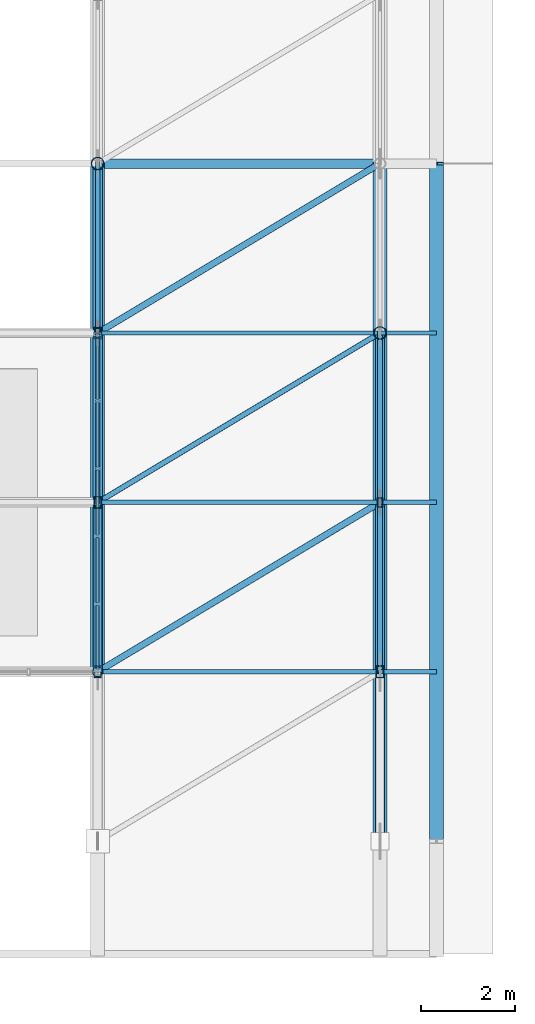
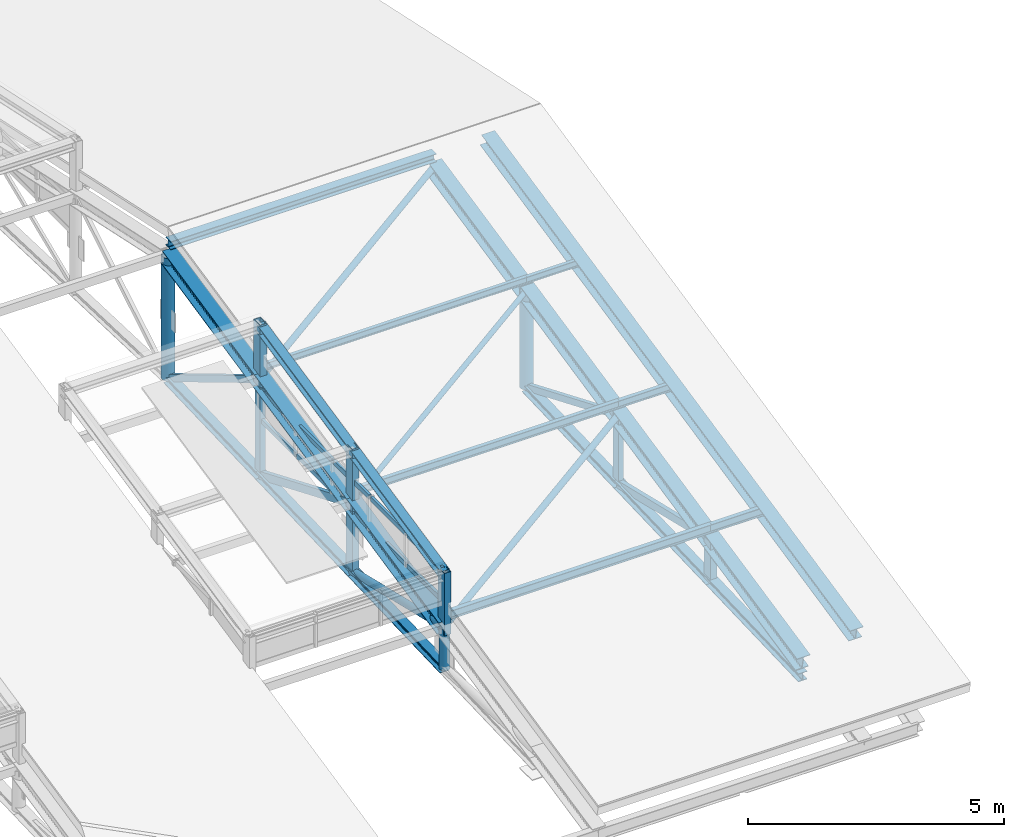
# One storey, part 43 of 124: 50 members, 1 element without a shape of its own.
"""IFC4 building model written with IfcOpenShell, lengths in metres."""

from ifc_helpers import new_model, si_unit, direction, frame, origin, origin_2d, place, context, subcontext, project, spatial, hollow_rectangle, hollow_circle, i_section, extrude, material, layer, layer_set, material_profile, profile_set, type_object, element, aggregate, save


model = new_model("IFC4")

# Units and contexts
model_context = context("Model", 3, precision=1e-05, world=origin(), true_north=direction((0.0, 1.0)))
body_context = subcontext(model_context, "Body", "Model", "MODEL_VIEW")
ifc_project = project(units=[si_unit("LENGTHUNIT", "METRE"), si_unit("AREAUNIT", "SQUARE_METRE"), si_unit("VOLUMEUNIT", "CUBIC_METRE"), si_unit("PLANEANGLEUNIT", "RADIAN"), si_unit("MASSUNIT", "GRAM", prefix="KILO"), si_unit("THERMODYNAMICTEMPERATUREUNIT", "KELVIN"), si_unit("POWERUNIT", "WATT")], contexts=[model_context])

# Site, building, storey
site_placement = place(None, origin())
site = spatial("IfcSite", under=ifc_project, at=site_placement, CompositionType="ELEMENT")
building_placement = place(site_placement, origin())
building = spatial("IfcBuilding", under=site, at=building_placement, Name="Tavuni Mirador Residences", CompositionType="ELEMENT")
storey_placement = place(building_placement, frame((0.0, 0.0, 7.64990234375)))
storey = spatial("IfcBuildingStorey", under=building, at=storey_placement, Name="L02", CompositionType="ELEMENT", Elevation=7.64990234375)

# Curtain wall, members
ifc_material_1 = material(Name="Anodised aluminium", Category="aluminium")
ifc_layer = layer(ifc_material_1, 0.199951171875, Name="Anodised aluminium", Category="aluminium")
ifc_layer_set = layer_set([ifc_layer], Name="Anodised aluminium")
curtain_wall_type = type_object("IfcCurtainWallType", Name="CWT-HAL-01", PredefinedType="NOTDEFINED", material=ifc_layer_set)
curtain_wall_placement = place(storey_placement, origin())
curtain_wall = element("IfcCurtainWall", 1, at=curtain_wall_placement, inside=storey, type_object=curtain_wall_type, Name="CW-HALL-MON-S3-E", PredefinedType="NOTDEFINED")
ifc_material_profile_1 = material_profile(ifc_material_1, hollow_rectangle(XDim=0.06005859375, YDim=0.110107421875, WallThickness=0.00390625, at=origin_2d()), Name="ALU 60x110x4.0", Category="aluminium")
ifc_profile_set_1 = profile_set([ifc_material_profile_1], Name="Anodised aluminium")
member_type_1 = type_object("IfcMemberType", Name="CWT-110", PredefinedType="USERDEFINED", material=ifc_profile_set_1)
member_1_placement = place(storey_placement, frame((68.39990234375, 75.659912109375, 1.205078125), z_axis=(0.0, 1.0, 0.0), x_axis=(-1.0, 0.0, 0.0)))
member_1 = element("IfcMember", 2, at=member_1_placement, type_object=member_type_1, Name="CW-06 transom 1.1", ObjectType="TRANSOM", PredefinedType="USERDEFINED", context=body_context, shape_type="SweptSolid", body=[
    extrude(hollow_rectangle(XDim=0.06005859375, YDim=0.110107421875, WallThickness=0.00390625, at=origin_2d()), origin(), (0.0, 0.0, 1.0), 1.35009765625),
])
member_2_placement = place(storey_placement, frame((68.39990234375, 75.659912109375, 1.93505859375), z_axis=(0.0, 1.0, 0.0), x_axis=(-1.0, 0.0, 0.0)))
member_2 = element("IfcMember", 3, at=member_2_placement, type_object=member_type_1, Name="CW-06 transom 1.2", ObjectType="TRANSOM", PredefinedType="USERDEFINED", context=body_context, shape_type="SweptSolid", body=[
    extrude(hollow_rectangle(XDim=0.06005859375, YDim=0.110107421875, WallThickness=0.00390625, at=origin_2d()), origin(), (0.0, 0.0, 1.0), 1.35009765625),
])
member_3_placement = place(storey_placement, frame((68.39990234375, 77.070068359375, 1.205078125), z_axis=(0.0, 1.0, 0.0), x_axis=(-1.0, 0.0, 0.0)))
member_3 = element("IfcMember", 4, at=member_3_placement, type_object=member_type_1, Name="CW-06 transom 2.1", ObjectType="TRANSOM", PredefinedType="USERDEFINED", context=body_context, shape_type="SweptSolid", body=[
    extrude(hollow_rectangle(XDim=0.06005859375, YDim=0.110107421875, WallThickness=0.00390625, at=origin_2d()), origin(), (0.0, 0.0, 1.0), 1.3798828125),
])
member_4_placement = place(storey_placement, frame((68.39990234375, 77.070068359375, 1.93505859375), z_axis=(0.0, 1.0, 0.0), x_axis=(-1.0, 0.0, 0.0)))
member_4 = element("IfcMember", 5, at=member_4_placement, type_object=member_type_1, Name="CW-06 transom 2.2", ObjectType="TRANSOM", PredefinedType="USERDEFINED", context=body_context, shape_type="SweptSolid", body=[
    extrude(hollow_rectangle(XDim=0.06005859375, YDim=0.110107421875, WallThickness=0.00390625, at=origin_2d()), origin(), (0.0, 0.0, 1.0), 1.3798828125),
])
member_5_placement = place(storey_placement, frame((68.39990234375, 78.510009765625, 1.205078125), z_axis=(0.0, 1.0, 0.0), x_axis=(-1.0, 0.0, 0.0)))
member_5 = element("IfcMember", 6, at=member_5_placement, type_object=member_type_1, Name="CW-06 transom 3.1", ObjectType="TRANSOM", PredefinedType="USERDEFINED", context=body_context, shape_type="SweptSolid", body=[
    extrude(hollow_rectangle(XDim=0.06005859375, YDim=0.110107421875, WallThickness=0.00390625, at=origin_2d()), origin(), (0.0, 0.0, 1.0), 1.3798828125),
])
member_6_placement = place(storey_placement, frame((68.39990234375, 78.510009765625, 1.93505859375), z_axis=(0.0, 1.0, 0.0), x_axis=(-1.0, 0.0, 0.0)))
member_6 = element("IfcMember", 7, at=member_6_placement, type_object=member_type_1, Name="CW-06 transom 3.2", ObjectType="TRANSOM", PredefinedType="USERDEFINED", context=body_context, shape_type="SweptSolid", body=[
    extrude(hollow_rectangle(XDim=0.06005859375, YDim=0.110107421875, WallThickness=0.00390625, at=origin_2d()), origin(), (0.0, 0.0, 1.0), 1.3798828125),
])
member_7_placement = place(storey_placement, frame((68.39990234375, 79.949951171875, 1.205078125), z_axis=(0.0, 1.0, 0.0), x_axis=(-1.0, 0.0, 0.0)))
member_7 = element("IfcMember", 8, at=member_7_placement, type_object=member_type_1, Name="CW-06 transom 4.1", ObjectType="TRANSOM", PredefinedType="USERDEFINED", context=body_context, shape_type="SweptSolid", body=[
    extrude(hollow_rectangle(XDim=0.06005859375, YDim=0.110107421875, WallThickness=0.00390625, at=origin_2d()), origin(), (0.0, 0.0, 1.0), 1.380126953125),
])
member_8_placement = place(storey_placement, frame((68.39990234375, 79.949951171875, 1.93505859375), z_axis=(0.0, 1.0, 0.0), x_axis=(-1.0, 0.0, 0.0)))
member_8 = element("IfcMember", 9, at=member_8_placement, type_object=member_type_1, Name="CW-06 transom 4.2", ObjectType="TRANSOM", PredefinedType="USERDEFINED", context=body_context, shape_type="SweptSolid", body=[
    extrude(hollow_rectangle(XDim=0.06005859375, YDim=0.110107421875, WallThickness=0.00390625, at=origin_2d()), origin(), (0.0, 0.0, 1.0), 1.380126953125),
])
member_9_placement = place(storey_placement, frame((68.39990234375, 81.389892578125, 1.205078125), z_axis=(0.0, 1.0, 0.0), x_axis=(-1.0, 0.0, 0.0)))
member_9 = element("IfcMember", 10, at=member_9_placement, type_object=member_type_1, Name="CW-06 transom 5.1", ObjectType="TRANSOM", PredefinedType="USERDEFINED", context=body_context, shape_type="SweptSolid", body=[
    extrude(hollow_rectangle(XDim=0.06005859375, YDim=0.110107421875, WallThickness=0.00390625, at=origin_2d()), origin(), (0.0, 0.0, 1.0), 1.35009765625),
])
member_10_placement = place(storey_placement, frame((68.39990234375, 81.389892578125, 1.93505859375), z_axis=(0.0, 1.0, 0.0), x_axis=(-1.0, 0.0, 0.0)))
member_10 = element("IfcMember", 11, at=member_10_placement, type_object=member_type_1, Name="CW-06 transom 5.2", ObjectType="TRANSOM", PredefinedType="USERDEFINED", context=body_context, shape_type="SweptSolid", body=[
    extrude(hollow_rectangle(XDim=0.06005859375, YDim=0.110107421875, WallThickness=0.00390625, at=origin_2d()), origin(), (0.0, 0.0, 1.0), 1.35009765625),
])
aggregate(curtain_wall, [member_1, member_2, member_3, member_4, member_5, member_6, member_7, member_8, member_9, member_10])

# Members
ifc_material_2 = material(Name="Structural steel S355", Category="steel")
ifc_material_profile_2 = material_profile(ifc_material_2, hollow_circle(Radius=0.05712890625, WallThickness=0.00634765625, at=origin_2d()), Name="CHS 114.3x6.3", Category="steel")
ifc_profile_set_2 = profile_set([ifc_material_profile_2], Name="Structural steel S355")
member_type_2 = type_object("IfcMemberType", Name="MT-BR-CHS114", PredefinedType="BRACE", material=ifc_profile_set_2)
member_11_placement = place(storey_placement, frame((68.39990234375, 79.199951171875, 1.380126953125), z_axis=(0.852276366217, 0.511379691416, 0.110071825617), x_axis=(-0.514506017516, 0.857486768376, 0.0)))
element("IfcMember", 12, at=member_11_placement, inside=storey, type_object=member_type_2, Name="HALL-RB-4-03", PredefinedType="BRACE", context=body_context, shape_type="SweptSolid", body=[
    extrude(hollow_circle(Radius=0.05712890625, WallThickness=0.00634765625, at=origin_2d()), origin(), (0.0, 0.0, 1.0), 7.0400390625),
])
ifc_material_profile_3 = material_profile(ifc_material_2, hollow_circle(Radius=0.06982421875, WallThickness=0.008056640625, at=origin_2d()), Name="CHS 139.7x8.0", Category="steel")
ifc_profile_set_3 = profile_set([ifc_material_profile_3], Name="Structural steel S355")
member_type_3 = type_object("IfcMemberType", Name="MT-BR-CHS139", PredefinedType="BRACE", material=ifc_profile_set_3)
for number, where, z_axis, x_axis, name in (
    (13, (68.39990234375, 75.60009765625, 0.60498046875), (0.852288226605, 0.511352128145, 0.110108037088), (-0.51448036188, 0.857502161653, 0.0), "HALL-RB-4-02"),
    (14, (68.39990234375, 82.800048828125, 2.155029296875), (0.852288226605, 0.511352128145, 0.110108037088), (-0.51448036188, 0.857502161653, 0.0), "HALL-RB-4-04"),
):
    element("IfcMember", number, at=place(storey_placement, frame(where, z_axis=z_axis, x_axis=x_axis)), inside=storey, type_object=member_type_3, Name=name, PredefinedType="BRACE", context=body_context, shape_type="SweptSolid", body=[
        extrude(hollow_circle(Radius=0.06982421875, WallThickness=0.008056640625, at=origin_2d()), origin(), (0.0, 0.0, 1.0), 7.039794921875),
    ])
ifc_material_profile_4 = material_profile(ifc_material_2, hollow_circle(Radius=0.084228515625, WallThickness=0.008056640625, at=origin_2d()), Name="CHS 168.3x8.0", Category="steel")
ifc_profile_set_4 = profile_set([ifc_material_profile_4], Name="Structural steel S355")
member_type_4 = type_object("IfcMemberType", Name="MT-BR-CHS168", PredefinedType="BRACE", material=ifc_profile_set_4)
member_12_placement = place(storey_placement, frame((68.39990234375, 75.60009765625, 0.60498046875), z_axis=(0.0, 0.972935623557, -0.231076334601), x_axis=(-1.0, 0.0, 0.0)))
element("IfcMember", 15, at=member_12_placement, inside=storey, type_object=member_type_4, Name="Roof truss TR-7 web diagonal 2", PredefinedType="BRACE", context=body_context, shape_type="SweptSolid", body=[
    extrude(hollow_circle(Radius=0.084228515625, WallThickness=0.008056640625, at=origin_2d()), origin(), (0.0, 0.0, 1.0), 3.699951171875),
])
ifc_material_profile_5 = material_profile(ifc_material_2, hollow_rectangle(XDim=0.10009765625, YDim=0.14990234375, WallThickness=0.008056640625, at=origin_2d()), Name="RHS 150x100x8.0", Category="steel")
ifc_profile_set_5 = profile_set([ifc_material_profile_5], Name="Structural steel S355")
member_type_5 = type_object("IfcMemberType", Name="MT-BR-RHS150", PredefinedType="BRACE", material=ifc_profile_set_5)
member_13_placement = place(storey_placement, frame((68.39990234375, 82.800048828125, 2.155029296875), z_axis=(0.0, 0.858005936545, -0.513639769541), x_axis=(-1.0, 0.0, 0.0)))
element("IfcMember", 16, at=member_13_placement, inside=storey, type_object=member_type_5, Name="Roof truss TR-7 web diagonal 4", PredefinedType="BRACE", context=body_context, shape_type="SweptSolid", body=[
    extrude(hollow_rectangle(XDim=0.10009765625, YDim=0.14990234375, WallThickness=0.008056640625, at=origin_2d()), origin(), (0.0, 0.0, 1.0), 4.195556640625),
])
member_14_placement = place(storey_placement, frame((74.39990234375, 79.199951171875, 1.380126953125), z_axis=(0.0, 0.922613480979, -0.385725763613), x_axis=(-1.0, 0.0, 0.0)))
element("IfcMember", 17, at=member_14_placement, inside=storey, type_object=member_type_5, Name="Roof truss TR-8 web diagonal 3", PredefinedType="BRACE", context=body_context, shape_type="SweptSolid", body=[
    extrude(hollow_rectangle(XDim=0.10009765625, YDim=0.14990234375, WallThickness=0.008056640625, at=origin_2d()), origin(), (0.0, 0.0, 1.0), 3.902099609375),
])
ifc_material_profile_6 = material_profile(ifc_material_2, hollow_rectangle(XDim=0.10009765625, YDim=0.179931640625, WallThickness=0.008056640625, at=origin_2d()), Name="RHS 180x100x8.0", Category="steel")
ifc_profile_set_6 = profile_set([ifc_material_profile_6], Name="Structural steel S355")
member_type_6 = type_object("IfcMemberType", Name="MT-BR-RHS180", PredefinedType="BRACE", material=ifc_profile_set_6)
member_15_placement = place(storey_placement, frame((68.39990234375, 79.199951171875, 1.380126953125), z_axis=(0.0, 0.922613480979, -0.385725763613), x_axis=(-1.0, 0.0, 0.0)))
element("IfcMember", 18, at=member_15_placement, inside=storey, type_object=member_type_6, Name="Roof truss TR-7 web diagonal 3", PredefinedType="BRACE", context=body_context, shape_type="SweptSolid", body=[
    extrude(hollow_rectangle(XDim=0.10009765625, YDim=0.179931640625, WallThickness=0.008056640625, at=origin_2d()), origin(), (0.0, 0.0, 1.0), 3.902099609375),
])
member_16_placement = place(storey_placement, frame((74.39990234375, 75.60009765625, 0.60498046875), z_axis=(0.0, 0.972935623557, -0.231076334601), x_axis=(-1.0, 0.0, 0.0)))
element("IfcMember", 19, at=member_16_placement, inside=storey, type_object=member_type_6, Name="Roof truss TR-8 web diagonal 2", PredefinedType="BRACE", context=body_context, shape_type="SweptSolid", body=[
    extrude(hollow_rectangle(XDim=0.10009765625, YDim=0.179931640625, WallThickness=0.008056640625, at=origin_2d()), origin(), (0.0, 0.0, 1.0), 3.699951171875),
])
ifc_material_profile_7 = material_profile(ifc_material_2, i_section(OverallWidth=0.300048828125, OverallDepth=0.2900390625, WebThickness=0.008544921875, FlangeThickness=0.013916015625, FilletRadius=0.027099609375, at=origin_2d()), Name="HEA 300", Category="steel")
ifc_profile_set_7 = profile_set([ifc_material_profile_7], Name="Structural steel S355")
member_type_7 = type_object("IfcMemberType", Name="MT-CH-HEA300", PredefinedType="CHORD", material=ifc_profile_set_7)
member_17_placement = place(storey_placement, frame((75.60009765625, 72.0, 0.09521484375), z_axis=(0.0, 0.977605026938, 0.210448120224), x_axis=(-1.0, 0.0, 0.0)))
element("IfcMember", 20, at=member_17_placement, inside=storey, type_object=member_type_7, Name="HALL-GAB-E-S", PredefinedType="CHORD", context=body_context, shape_type="SweptSolid", body=[
    extrude(i_section(OverallWidth=0.300048828125, OverallDepth=0.2900390625, WebThickness=0.008544921875, FlangeThickness=0.013916015625, FilletRadius=0.027099609375, at=origin_2d()), origin(), (0.0, 0.0, 1.0), 14.729736328125),
])
ifc_material_profile_8 = material_profile(ifc_material_2, i_section(OverallWidth=0.300048828125, OverallDepth=0.330078125, WebThickness=0.009521484375, FlangeThickness=0.0166015625, FilletRadius=0.027099609375, at=origin_2d()), Name="HEA 340", Category="steel")
ifc_profile_set_8 = profile_set([ifc_material_profile_8], Name="Structural steel S355")
member_type_8 = type_object("IfcMemberType", Name="MT-CH-HEA340", PredefinedType="CHORD", material=ifc_profile_set_8)
member_18_placement = place(storey_placement, frame((68.39990234375, 75.60009765625, 0.60498046875), z_axis=(0.0, 0.977593327089, 0.210502462768), x_axis=(-1.0, 0.0, 0.0)))
element("IfcMember", 21, at=member_18_placement, inside=storey, type_object=member_type_8, Name="Roof truss TR-7 top chord 2", PredefinedType="CHORD", context=body_context, shape_type="SweptSolid", body=[
    extrude(i_section(OverallWidth=0.300048828125, OverallDepth=0.330078125, WebThickness=0.009521484375, FlangeThickness=0.0166015625, FilletRadius=0.027099609375, at=origin_2d()), origin(), (0.0, 0.0, 1.0), 3.682373046875),
])
member_19_placement = place(storey_placement, frame((68.39990234375, 79.199951171875, 1.380126953125), z_axis=(0.0, 0.977609904647, 0.210425460284), x_axis=(-1.0, 0.0, 0.0)))
element("IfcMember", 22, at=member_19_placement, inside=storey, type_object=member_type_8, Name="Roof truss TR-7 top chord 3", PredefinedType="CHORD", context=body_context, shape_type="SweptSolid", body=[
    extrude(i_section(OverallWidth=0.300048828125, OverallDepth=0.330078125, WebThickness=0.009521484375, FlangeThickness=0.0166015625, FilletRadius=0.027099609375, at=origin_2d()), origin(), (0.0, 0.0, 1.0), 3.6826171875),
])
member_20_placement = place(storey_placement, frame((68.39990234375, 82.800048828125, 2.155029296875), z_axis=(0.0, 0.977593327089, 0.210502462768), x_axis=(-1.0, 0.0, 0.0)))
element("IfcMember", 23, at=member_20_placement, inside=storey, type_object=member_type_8, Name="Roof truss TR-7 top chord 4", PredefinedType="CHORD", context=body_context, shape_type="SweptSolid", body=[
    extrude(i_section(OverallWidth=0.300048828125, OverallDepth=0.330078125, WebThickness=0.009521484375, FlangeThickness=0.0166015625, FilletRadius=0.027099609375, at=origin_2d()), origin(), (0.0, 0.0, 1.0), 3.682373046875),
])
member_21_placement = place(storey_placement, frame((74.39990234375, 72.0, -0.169921875), z_axis=(0.0, 0.977609904647, 0.210425460284), x_axis=(-1.0, 0.0, 0.0)))
element("IfcMember", 24, at=member_21_placement, inside=storey, type_object=member_type_8, Name="Roof truss TR-8 top chord 1", PredefinedType="CHORD", context=body_context, shape_type="SweptSolid", body=[
    extrude(i_section(OverallWidth=0.300048828125, OverallDepth=0.330078125, WebThickness=0.009521484375, FlangeThickness=0.0166015625, FilletRadius=0.027099609375, at=origin_2d()), origin(), (0.0, 0.0, 1.0), 3.6826171875),
])
member_22_placement = place(storey_placement, frame((74.39990234375, 75.60009765625, 0.60498046875), z_axis=(0.0, 0.977593327089, 0.210502462768), x_axis=(-1.0, 0.0, 0.0)))
element("IfcMember", 25, at=member_22_placement, inside=storey, type_object=member_type_8, Name="Roof truss TR-8 top chord 2", PredefinedType="CHORD", context=body_context, shape_type="SweptSolid", body=[
    extrude(i_section(OverallWidth=0.300048828125, OverallDepth=0.330078125, WebThickness=0.009521484375, FlangeThickness=0.0166015625, FilletRadius=0.027099609375, at=origin_2d()), origin(), (0.0, 0.0, 1.0), 3.682373046875),
])
member_23_placement = place(storey_placement, frame((74.39990234375, 79.199951171875, 1.380126953125), z_axis=(0.0, 0.977609904647, 0.210425460284), x_axis=(-1.0, 0.0, 0.0)))
element("IfcMember", 26, at=member_23_placement, inside=storey, type_object=member_type_8, Name="Roof truss TR-8 top chord 3", PredefinedType="CHORD", context=body_context, shape_type="SweptSolid", body=[
    extrude(i_section(OverallWidth=0.300048828125, OverallDepth=0.330078125, WebThickness=0.009521484375, FlangeThickness=0.0166015625, FilletRadius=0.027099609375, at=origin_2d()), origin(), (0.0, 0.0, 1.0), 3.6826171875),
])
member_24_placement = place(storey_placement, frame((74.39990234375, 82.800048828125, 2.155029296875), z_axis=(0.0, 0.977593327089, 0.210502462768), x_axis=(-1.0, 0.0, 0.0)))
element("IfcMember", 27, at=member_24_placement, inside=storey, type_object=member_type_8, Name="Roof truss TR-8 top chord 4", PredefinedType="CHORD", context=body_context, shape_type="SweptSolid", body=[
    extrude(i_section(OverallWidth=0.300048828125, OverallDepth=0.330078125, WebThickness=0.009521484375, FlangeThickness=0.0166015625, FilletRadius=0.027099609375, at=origin_2d()), origin(), (0.0, 0.0, 1.0), 3.682373046875),
])
ifc_material_profile_9 = material_profile(ifc_material_2, i_section(OverallWidth=0.199951171875, OverallDepth=0.199951171875, WebThickness=0.009033203125, FlangeThickness=0.014892578125, FilletRadius=0.01806640625, at=origin_2d()), Name="HEB 200", Category="steel")
ifc_profile_set_9 = profile_set([ifc_material_profile_9], Name="Structural steel S355")
member_type_9 = type_object("IfcMemberType", Name="MT-CH-HEB200", PredefinedType="CHORD", material=ifc_profile_set_9)
member_25_placement = place(storey_placement, frame((68.39990234375, 75.60009765625, -0.375), z_axis=(0.0, 0.999397679205, 0.034702720363), x_axis=(-1.0, 0.0, 0.0)))
element("IfcMember", 28, at=member_25_placement, inside=storey, type_object=member_type_9, Name="Roof truss TR-7 bottom chord 2", PredefinedType="CHORD", context=body_context, shape_type="SweptSolid", body=[
    extrude(i_section(OverallWidth=0.199951171875, OverallDepth=0.199951171875, WebThickness=0.009033203125, FlangeThickness=0.014892578125, FilletRadius=0.01806640625, at=origin_2d()), origin(), (0.0, 0.0, 1.0), 3.60205078125),
])
member_26_placement = place(storey_placement, frame((68.39990234375, 79.199951171875, -0.25), z_axis=(0.0, 0.999397760821, 0.034700369832), x_axis=(-1.0, 0.0, 0.0)))
element("IfcMember", 29, at=member_26_placement, inside=storey, type_object=member_type_9, Name="Roof truss TR-7 bottom chord 3", PredefinedType="CHORD", context=body_context, shape_type="SweptSolid", body=[
    extrude(i_section(OverallWidth=0.199951171875, OverallDepth=0.199951171875, WebThickness=0.009033203125, FlangeThickness=0.014892578125, FilletRadius=0.01806640625, at=origin_2d()), origin(), (0.0, 0.0, 1.0), 3.602294921875),
])
member_27_placement = place(storey_placement, frame((68.39990234375, 82.800048828125, -0.125), z_axis=(0.0, 0.999397679205, 0.034702720363), x_axis=(-1.0, 0.0, 0.0)))
element("IfcMember", 30, at=member_27_placement, inside=storey, type_object=member_type_9, Name="Roof truss TR-7 bottom chord 4", PredefinedType="CHORD", context=body_context, shape_type="SweptSolid", body=[
    extrude(i_section(OverallWidth=0.199951171875, OverallDepth=0.199951171875, WebThickness=0.009033203125, FlangeThickness=0.014892578125, FilletRadius=0.01806640625, at=origin_2d()), origin(), (0.0, 0.0, 1.0), 3.60205078125),
])
member_28_placement = place(storey_placement, frame((74.39990234375, 72.0, -0.5), z_axis=(0.0, 0.999397760821, 0.034700369832), x_axis=(-1.0, 0.0, 0.0)))
element("IfcMember", 31, at=member_28_placement, inside=storey, type_object=member_type_9, Name="Roof truss TR-8 bottom chord 1", PredefinedType="CHORD", context=body_context, shape_type="SweptSolid", body=[
    extrude(i_section(OverallWidth=0.199951171875, OverallDepth=0.199951171875, WebThickness=0.009033203125, FlangeThickness=0.014892578125, FilletRadius=0.01806640625, at=origin_2d()), origin(), (0.0, 0.0, 1.0), 3.602294921875),
])
member_29_placement = place(storey_placement, frame((74.39990234375, 75.60009765625, -0.375), z_axis=(0.0, 0.999397679205, 0.034702720363), x_axis=(-1.0, 0.0, 0.0)))
element("IfcMember", 32, at=member_29_placement, inside=storey, type_object=member_type_9, Name="Roof truss TR-8 bottom chord 2", PredefinedType="CHORD", context=body_context, shape_type="SweptSolid", body=[
    extrude(i_section(OverallWidth=0.199951171875, OverallDepth=0.199951171875, WebThickness=0.009033203125, FlangeThickness=0.014892578125, FilletRadius=0.01806640625, at=origin_2d()), origin(), (0.0, 0.0, 1.0), 3.60205078125),
])
member_30_placement = place(storey_placement, frame((74.39990234375, 79.199951171875, -0.25), z_axis=(0.0, 0.999397760821, 0.034700369832), x_axis=(-1.0, 0.0, 0.0)))
element("IfcMember", 33, at=member_30_placement, inside=storey, type_object=member_type_9, Name="Roof truss TR-8 bottom chord 3", PredefinedType="CHORD", context=body_context, shape_type="SweptSolid", body=[
    extrude(i_section(OverallWidth=0.199951171875, OverallDepth=0.199951171875, WebThickness=0.009033203125, FlangeThickness=0.014892578125, FilletRadius=0.01806640625, at=origin_2d()), origin(), (0.0, 0.0, 1.0), 3.602294921875),
])
ifc_material_profile_10 = material_profile(ifc_material_2, i_section(OverallWidth=0.199951171875, OverallDepth=0.18994140625, WebThickness=0.006591796875, FlangeThickness=0.010009765625, FilletRadius=0.01806640625, at=origin_2d()), Name="HEA 200", Category="steel")
ifc_profile_set_10 = profile_set([ifc_material_profile_10], Name="Structural steel S355")
member_type_10 = type_object("IfcMemberType", Name="MT-PR-HEA200", PredefinedType="PURLIN", material=ifc_profile_set_10)
member_31_placement = place(storey_placement, frame((68.39990234375, 86.39990234375, 3.195068359375), z_axis=(1.0, 0.0, 0.0), x_axis=(0.0, 1.0, 0.0)))
element("IfcMember", 34, at=member_31_placement, inside=storey, type_object=member_type_10, Name="HALL-PUR-03-S4-1", PredefinedType="PURLIN", context=body_context, shape_type="SweptSolid", body=[
    extrude(i_section(OverallWidth=0.199951171875, OverallDepth=0.18994140625, WebThickness=0.006591796875, FlangeThickness=0.010009765625, FilletRadius=0.01806640625, at=origin_2d()), origin(), (0.0, 0.0, 1.0), 6.0),
])
member_32_placement = place(storey_placement, frame((68.39990234375, 75.60009765625, 1.864990234375), z_axis=(0.0, 0.977601616837, 0.21046396071), x_axis=(-1.0, 0.0, 0.0)))
element("IfcMember", 35, at=member_32_placement, inside=storey, type_object=member_type_10, Name="HALL-MRAF-3-S-E", PredefinedType="PURLIN", context=body_context, shape_type="SweptSolid", body=[
    extrude(i_section(OverallWidth=0.199951171875, OverallDepth=0.18994140625, WebThickness=0.006591796875, FlangeThickness=0.010009765625, FilletRadius=0.01806640625, at=origin_2d()), origin(), (0.0, 0.0, 1.0), 7.364990234375),
])
ifc_material_profile_11 = material_profile(ifc_material_2, i_section(OverallWidth=0.08203125, OverallDepth=0.159912109375, WebThickness=0.0048828125, FlangeThickness=0.00732421875, FilletRadius=0.009033203125, at=origin_2d()), Name="IPE 160", Category="steel")
ifc_profile_set_11 = profile_set([ifc_material_profile_11], Name="Structural steel S355")
member_type_11 = type_object("IfcMemberType", Name="MT-PR-IPE160", PredefinedType="PURLIN", material=ifc_profile_set_11)
member_33_placement = place(storey_placement, frame((68.39990234375, 82.800048828125, 2.420166015625), z_axis=(1.0, 0.0, 0.0), x_axis=(0.0, 1.0, 0.0)))
element("IfcMember", 36, at=member_33_placement, inside=storey, type_object=member_type_11, Name="HALL-PUR-02-S4-1", PredefinedType="PURLIN", context=body_context, shape_type="SweptSolid", body=[
    extrude(i_section(OverallWidth=0.08203125, OverallDepth=0.159912109375, WebThickness=0.0048828125, FlangeThickness=0.00732421875, FilletRadius=0.009033203125, at=origin_2d()), origin(), (0.0, 0.0, 1.0), 6.0),
])
member_34_placement = place(storey_placement, frame((74.39990234375, 82.800048828125, 2.420166015625), z_axis=(1.0, 0.0, 0.0), x_axis=(0.0, 1.0, 0.0)))
element("IfcMember", 37, at=member_34_placement, inside=storey, type_object=member_type_11, Name="HALL-PUR-02-S4-2", PredefinedType="PURLIN", context=body_context, shape_type="SweptSolid", body=[
    extrude(i_section(OverallWidth=0.08203125, OverallDepth=0.159912109375, WebThickness=0.0048828125, FlangeThickness=0.00732421875, FilletRadius=0.009033203125, at=origin_2d()), origin(), (0.0, 0.0, 1.0), 1.2001953125),
])
ifc_material_profile_12 = material_profile(ifc_material_2, i_section(OverallWidth=0.091064453125, OverallDepth=0.179931640625, WebThickness=0.00537109375, FlangeThickness=0.008056640625, FilletRadius=0.009033203125, at=origin_2d()), Name="IPE 180", Category="steel")
ifc_profile_set_12 = profile_set([ifc_material_profile_12], Name="Structural steel S355")
member_type_12 = type_object("IfcMemberType", Name="MT-PR-IPE180", PredefinedType="PURLIN", material=ifc_profile_set_12)
member_35_placement = place(storey_placement, frame((68.39990234375, 79.199951171875, 1.64501953125), z_axis=(1.0, 0.0, 0.0), x_axis=(0.0, 1.0, 0.0)))
element("IfcMember", 38, at=member_35_placement, inside=storey, type_object=member_type_12, Name="HALL-PUR-01-S4-1", PredefinedType="PURLIN", context=body_context, shape_type="SweptSolid", body=[
    extrude(i_section(OverallWidth=0.091064453125, OverallDepth=0.179931640625, WebThickness=0.00537109375, FlangeThickness=0.008056640625, FilletRadius=0.009033203125, at=origin_2d()), origin(), (0.0, 0.0, 1.0), 6.0),
])
member_36_placement = place(storey_placement, frame((74.39990234375, 79.199951171875, 1.64501953125), z_axis=(1.0, 0.0, 0.0), x_axis=(0.0, 1.0, 0.0)))
element("IfcMember", 39, at=member_36_placement, inside=storey, type_object=member_type_12, Name="HALL-PUR-01-S4-2", PredefinedType="PURLIN", context=body_context, shape_type="SweptSolid", body=[
    extrude(i_section(OverallWidth=0.091064453125, OverallDepth=0.179931640625, WebThickness=0.00537109375, FlangeThickness=0.008056640625, FilletRadius=0.009033203125, at=origin_2d()), origin(), (0.0, 0.0, 1.0), 1.2001953125),
])
ifc_material_profile_13 = material_profile(ifc_material_2, i_section(OverallWidth=0.10009765625, OverallDepth=0.199951171875, WebThickness=0.005615234375, FlangeThickness=0.008544921875, FilletRadius=0.011962890625, at=origin_2d()), Name="IPE 200", Category="steel")
ifc_profile_set_13 = profile_set([ifc_material_profile_13], Name="Structural steel S355")
member_type_13 = type_object("IfcMemberType", Name="MT-PR-IPE200", PredefinedType="PURLIN", material=ifc_profile_set_13)
member_37_placement = place(storey_placement, frame((68.39990234375, 75.60009765625, 0.8701171875), z_axis=(1.0, 0.0, 0.0), x_axis=(0.0, 1.0, 0.0)))
element("IfcMember", 40, at=member_37_placement, inside=storey, type_object=member_type_13, Name="HALL-PUR-00-S4-1", PredefinedType="PURLIN", context=body_context, shape_type="SweptSolid", body=[
    extrude(i_section(OverallWidth=0.10009765625, OverallDepth=0.199951171875, WebThickness=0.005615234375, FlangeThickness=0.008544921875, FilletRadius=0.011962890625, at=origin_2d()), origin(), (0.0, 0.0, 1.0), 6.0),
])
member_38_placement = place(storey_placement, frame((74.39990234375, 75.60009765625, 0.8701171875), z_axis=(1.0, 0.0, 0.0), x_axis=(0.0, 1.0, 0.0)))
element("IfcMember", 41, at=member_38_placement, inside=storey, type_object=member_type_13, Name="HALL-PUR-00-S4-2", PredefinedType="PURLIN", context=body_context, shape_type="SweptSolid", body=[
    extrude(i_section(OverallWidth=0.10009765625, OverallDepth=0.199951171875, WebThickness=0.005615234375, FlangeThickness=0.008544921875, FilletRadius=0.011962890625, at=origin_2d()), origin(), (0.0, 0.0, 1.0), 1.2001953125),
])
ifc_material_profile_14 = material_profile(ifc_material_2, hollow_circle(Radius=0.109619140625, WallThickness=0.010009765625, at=origin_2d()), Name="CHS 219.1x10.0", Category="steel")
ifc_profile_set_14 = profile_set([ifc_material_profile_14], Name="Structural steel S355")
member_type_14 = type_object("IfcMemberType", Name="MT-ST-CHS219", PredefinedType="STRUT", material=ifc_profile_set_14)
member_39_placement = place(storey_placement, frame((68.39990234375, 75.60009765625, -0.375), z_axis=(0.0, 0.0, 1.0), x_axis=(1.0, 0.0, 0.0)))
element("IfcMember", 42, at=member_39_placement, inside=storey, type_object=member_type_14, Name="Roof truss TR-7 vertical 2", PredefinedType="STRUT", context=body_context, shape_type="SweptSolid", body=[
    extrude(hollow_circle(Radius=0.109619140625, WallThickness=0.010009765625, at=origin_2d()), origin(), (0.0, 0.0, 1.0), 0.97998046875),
])
ifc_material_profile_15 = material_profile(ifc_material_2, hollow_circle(Radius=0.136474609375, WallThickness=0.012451171875, at=origin_2d()), Name="CHS 273.0x12.5", Category="steel")
ifc_profile_set_15 = profile_set([ifc_material_profile_15], Name="Structural steel S355")
member_type_15 = type_object("IfcMemberType", Name="MT-ST-CHS273", PredefinedType="STRUT", material=ifc_profile_set_15)
member_40_placement = place(storey_placement, frame((68.39990234375, 86.39990234375, 0.0), z_axis=(0.0, 0.0, 1.0), x_axis=(1.0, 0.0, 0.0)))
element("IfcMember", 43, at=member_40_placement, inside=storey, type_object=member_type_15, Name="Roof truss TR-7 vertical 5", PredefinedType="STRUT", context=body_context, shape_type="SweptSolid", body=[
    extrude(hollow_circle(Radius=0.136474609375, WallThickness=0.012451171875, at=origin_2d()), origin(), (0.0, 0.0, 1.0), 2.93017578125),
])
member_41_placement = place(storey_placement, frame((74.39990234375, 82.800048828125, -0.125), z_axis=(0.0, 0.0, 1.0), x_axis=(1.0, 0.0, 0.0)))
element("IfcMember", 44, at=member_41_placement, inside=storey, type_object=member_type_15, Name="Roof truss TR-8 vertical 4", PredefinedType="STRUT", context=body_context, shape_type="SweptSolid", body=[
    extrude(hollow_circle(Radius=0.136474609375, WallThickness=0.012451171875, at=origin_2d()), origin(), (0.0, 0.0, 1.0), 2.280029296875),
])
ifc_material_profile_16 = material_profile(ifc_material_2, hollow_rectangle(XDim=0.1201171875, YDim=0.199951171875, WallThickness=0.010009765625, at=origin_2d()), Name="RHS 200x120x10.0", Category="steel")
ifc_profile_set_16 = profile_set([ifc_material_profile_16], Name="Structural steel S355")
member_type_16 = type_object("IfcMemberType", Name="MT-ST-RHS200", PredefinedType="STRUT", material=ifc_profile_set_16)
member_42_placement = place(storey_placement, frame((68.39990234375, 82.800048828125, -0.125), z_axis=(0.0, 0.0, 1.0), x_axis=(1.0, 0.0, 0.0)))
element("IfcMember", 45, at=member_42_placement, inside=storey, type_object=member_type_16, Name="Roof truss TR-7 vertical 4", PredefinedType="STRUT", context=body_context, shape_type="SweptSolid", body=[
    extrude(hollow_rectangle(XDim=0.1201171875, YDim=0.199951171875, WallThickness=0.010009765625, at=origin_2d()), origin(), (0.0, 0.0, 1.0), 2.280029296875),
])
member_43_placement = place(storey_placement, frame((74.39990234375, 79.199951171875, -0.25), z_axis=(0.0, 0.0, 1.0), x_axis=(1.0, 0.0, 0.0)))
element("IfcMember", 46, at=member_43_placement, inside=storey, type_object=member_type_16, Name="Roof truss TR-8 vertical 3", PredefinedType="STRUT", context=body_context, shape_type="SweptSolid", body=[
    extrude(hollow_rectangle(XDim=0.1201171875, YDim=0.199951171875, WallThickness=0.010009765625, at=origin_2d()), origin(), (0.0, 0.0, 1.0), 1.630126953125),
])
ifc_material_profile_17 = material_profile(ifc_material_2, hollow_rectangle(XDim=0.14990234375, YDim=0.25, WallThickness=0.010009765625, at=origin_2d()), Name="RHS 250x150x10.0", Category="steel")
ifc_profile_set_17 = profile_set([ifc_material_profile_17], Name="Structural steel S355")
member_type_17 = type_object("IfcMemberType", Name="MT-ST-RHS250", PredefinedType="STRUT", material=ifc_profile_set_17)
member_44_placement = place(storey_placement, frame((68.39990234375, 79.199951171875, -0.25), z_axis=(0.0, 0.0, 1.0), x_axis=(1.0, 0.0, 0.0)))
element("IfcMember", 47, at=member_44_placement, inside=storey, type_object=member_type_17, Name="Roof truss TR-7 vertical 3", PredefinedType="STRUT", context=body_context, shape_type="SweptSolid", body=[
    extrude(hollow_rectangle(XDim=0.14990234375, YDim=0.25, WallThickness=0.010009765625, at=origin_2d()), origin(), (0.0, 0.0, 1.0), 1.630126953125),
])
member_45_placement = place(storey_placement, frame((74.39990234375, 75.60009765625, -0.375), z_axis=(0.0, 0.0, 1.0), x_axis=(1.0, 0.0, 0.0)))
element("IfcMember", 48, at=member_45_placement, inside=storey, type_object=member_type_17, Name="Roof truss TR-8 vertical 2", PredefinedType="STRUT", context=body_context, shape_type="SweptSolid", body=[
    extrude(hollow_rectangle(XDim=0.14990234375, YDim=0.25, WallThickness=0.010009765625, at=origin_2d()), origin(), (0.0, 0.0, 1.0), 0.97998046875),
])
for number, where, z_axis, x_axis, name in (
    (49, (68.39990234375, 75.60009765625, 0.485107421875), (0.0, 0.0, 1.0), (1.0, 0.0, 0.0), "HALL-MPST-3-S-E1"),
    (50, (68.39990234375, 79.199951171875, 1.260009765625), (0.0, 0.0, 1.0), (1.0, 0.0, 0.0), "HALL-MPST-3-S-E2"),
    (51, (68.39990234375, 82.800048828125, 2.03515625), (0.0, 0.0, 1.0), (1.0, 0.0, 0.0), "HALL-MPST-3-S-E3"),
):
    element("IfcMember", number, at=place(storey_placement, frame(where, z_axis=z_axis, x_axis=x_axis)), inside=storey, type_object=member_type_17, Name=name, PredefinedType="STRUT", context=body_context, shape_type="SweptSolid", body=[
        extrude(hollow_rectangle(XDim=0.14990234375, YDim=0.25, WallThickness=0.010009765625, at=origin_2d()), origin(), (0.0, 0.0, 1.0), 1.489990234375),
    ])

save(model, "model.ifc")
